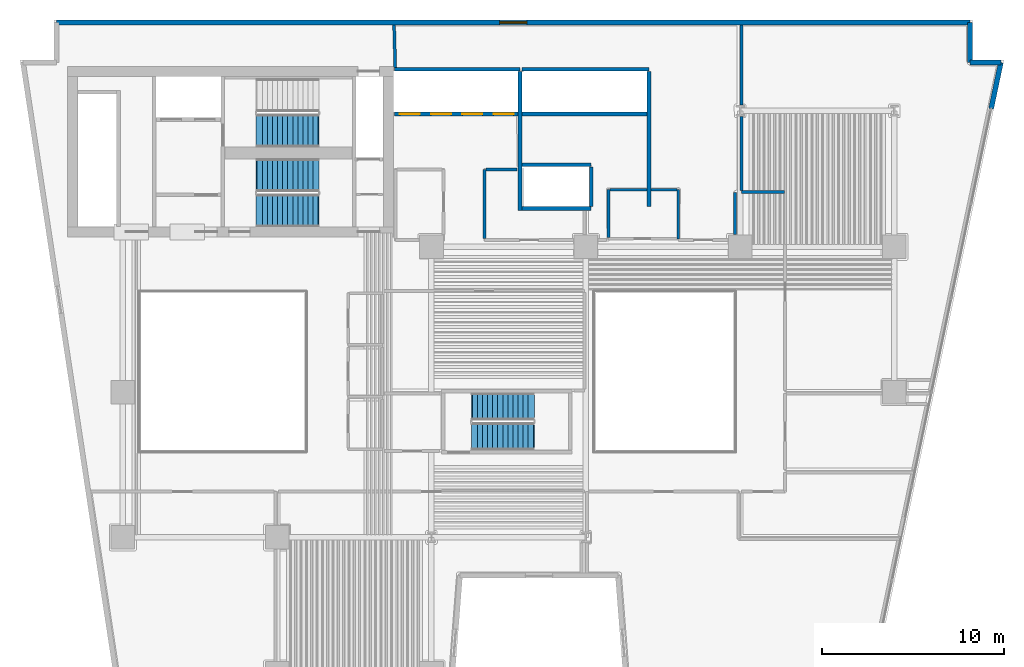
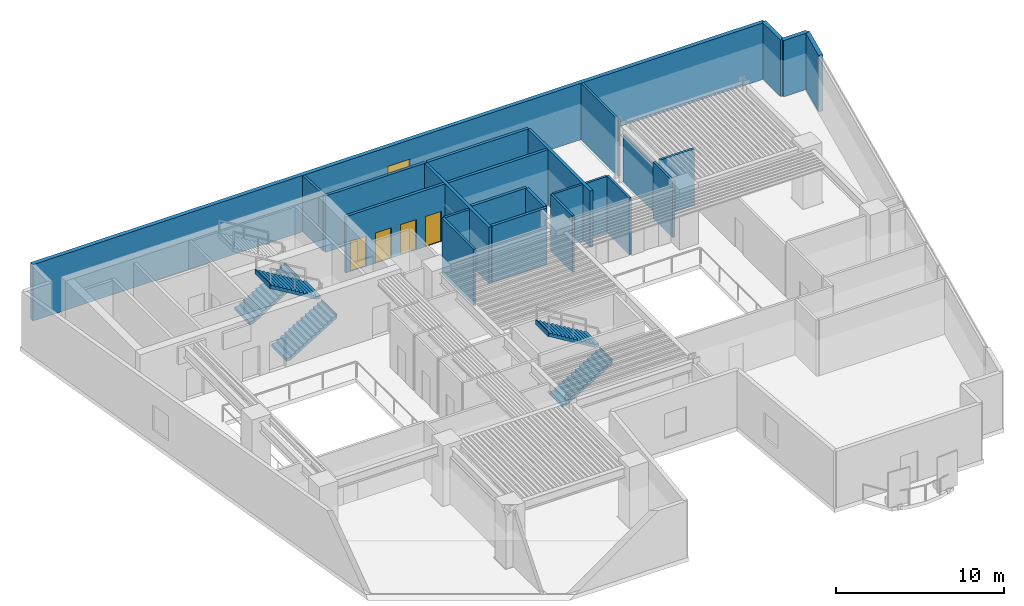
# One storey, part 6 of 12: 24 walls, 5 stair flights, 4 doors, 1 window, 5 openings, 3 elements without a shape of their own.
"""IFC4 building model written with IfcOpenShell, lengths in metres."""

from ifc_helpers import new_model, si_unit, direction, frame, frame_2d, origin, place, context, subcontext, project, spatial, polyline, rectangle, outline, extrude, material, layer, layer_set, type_object, element, fill, aggregate, save


model = new_model("IFC4")

# Units and contexts
model_context = context("Model", 3, precision=1e-05, world=origin(), true_north=direction((0.0, 1.0)))
body_context = subcontext(model_context, "Body", "Model", "MODEL_VIEW")
ifc_project = project(units=[si_unit("LENGTHUNIT", "METRE"), si_unit("AREAUNIT", "SQUARE_METRE"), si_unit("VOLUMEUNIT", "CUBIC_METRE"), si_unit("PLANEANGLEUNIT", "RADIAN"), si_unit("MASSUNIT", "GRAM", prefix="KILO")], contexts=[model_context])

# Site, building, storey
site_placement = place(None, origin())
site = spatial("IfcSite", under=ifc_project, at=site_placement, CompositionType="ELEMENT")
building_placement = place(site_placement, origin())
building = spatial("IfcBuilding", under=site, at=building_placement, Name="Caeloran Harvest Quay", CompositionType="ELEMENT")
storey_placement = place(building_placement, frame((0.0, 0.0, 35.800048828125)))
storey = spatial("IfcBuildingStorey", under=building, at=storey_placement, Name="L08", CompositionType="ELEMENT", Elevation=35.800048828125)

# Wall, opening, window
ifc_material_1 = material(Name="Precast concrete C50/60", Category="concrete")
ifc_layer_1 = layer(ifc_material_1, 0.280029296875, Name="Precast concrete C50/60")
ifc_layer_set_1 = layer_set([ifc_layer_1], Name="Precast concrete C50/60")
wall_type_1 = type_object("IfcWallType", Name="ENV-WALL-EW-280", PredefinedType="STANDARD", material=ifc_layer_set_1)
wall_1_placement = place(storey_placement, frame((4.840087890625, 43.360107421875, 0.0), z_axis=(0.0, 0.0, 1.0), x_axis=(1.0, 0.0, 0.0)))
wall_1 = element("IfcWall", 1, at=wall_1_placement, inside=storey, type_object=wall_type_1, Name="L08 Exterior Precast Concrete Facade Wall 6", PredefinedType="STANDARD", context=body_context, shape_type="SweptSolid", body=[
    extrude(rectangle(XDim=50.31982421875, YDim=0.280029296875, at=frame_2d((25.159912109375, 0.0))), origin(), (0.0, 0.0, 1.0), 4.099853515625),
])
opening_1_placement = place(wall_1_placement, frame((24.409912109375, 0.0, 0.89990234375)))
opening_1 = element("IfcOpeningElement", 2, at=opening_1_placement, cuts=wall_1, Name="Opening W-03", PredefinedType="OPENING", context=body_context, shape_type="SweptSolid", body=[
    extrude(rectangle(XDim=1.5, YDim=1.800048828125, at=frame_2d((0.75, 0.89990234375))), frame((0.0, 0.14990234375, 0.0), z_axis=(0.0, -1.0, 0.0), x_axis=(1.0, 0.0, 0.0)), (0.0, 0.0, 1.0), 0.300048828125),
])
ifc_material_2 = material(Name="Aluminium-Framed Low-E Laminated Glass", Category="aluminium")
window_type = type_object("IfcWindowType", Name="WIN-W-03", PartitioningType="SINGLE_PANEL", PredefinedType="WINDOW", material=ifc_material_2)
window_placement = place(opening_1_placement, origin())
window = element("IfcWindow", 3, at=window_placement, inside=storey, type_object=window_type, Name="L08 Facade Punched Window W-03", OverallHeight=1.800048828125, OverallWidth=1.5, PartitioningType="SINGLE_PANEL", PredefinedType="WINDOW", context=body_context, shape_type="SweptSolid", body=[
    extrude(rectangle(XDim=1.5, YDim=1.800048828125, at=frame_2d((0.75, 0.89990234375))), frame((0.0, 0.030029296875, 0.0), z_axis=(0.0, -1.0, 0.0), x_axis=(1.0, 0.0, 0.0)), (0.0, 0.0, 1.0), 0.06005859375),
])
fill(opening_1, window)

# Walls
wall_2_placement = place(storey_placement, frame((55.159912109375, 43.360107421875, 0.0), z_axis=(0.0, 0.0, 1.0), x_axis=(0.0, -1.0, 0.0)))
element("IfcWall", 4, at=wall_2_placement, inside=storey, type_object=wall_type_1, Name="L08 Exterior Precast Concrete Facade Wall 7", PredefinedType="STANDARD", context=body_context, shape_type="SweptSolid", body=[
    extrude(rectangle(XDim=2.2001953125, YDim=0.280029296875, at=frame_2d((1.10009765625, 0.0))), origin(), (0.0, 0.0, 1.0), 4.099853515625),
])
wall_3_placement = place(storey_placement, frame((55.159912109375, 41.159912109375, 0.0), z_axis=(0.0, 0.0, 1.0), x_axis=(1.0, 0.0, 0.0)))
element("IfcWall", 5, at=wall_3_placement, inside=storey, type_object=wall_type_1, Name="L08 Exterior Precast Concrete Facade Wall 8", PredefinedType="STANDARD", context=body_context, shape_type="SweptSolid", body=[
    extrude(rectangle(XDim=1.705322265625, YDim=0.280029296875, at=frame_2d((0.8525390625, 0.0))), origin(), (0.0, 0.0, 1.0), 4.099853515625),
])
wall_4_placement = place(storey_placement, frame((56.865234375, 41.159912109375, 0.0), z_axis=(0.0, 0.0, 1.0), x_axis=(-0.205551409765, -0.978646319128, 0.0)))
element("IfcWall", 6, at=wall_4_placement, inside=storey, type_object=wall_type_1, Name="L08 Exterior Facade Corner Pier Wall 9A", PredefinedType="STANDARD", context=body_context, shape_type="SweptSolid", body=[
    extrude(rectangle(XDim=2.599853515625, YDim=0.280029296875, at=frame_2d((1.2998046875, 0.0))), origin(), (0.0, 0.0, 1.0), 4.099853515625),
])
ifc_material_3 = material(Name="Autoclaved Aerated Concrete Blockwork and Plasterboard", Category="masonry")
ifc_layer_2 = layer(ifc_material_3, 0.14990234375, Name="Autoclaved Aerated Concrete Blockwork and Plasterboard")
ifc_layer_set_2 = layer_set([ifc_layer_2], Name="Autoclaved Aerated Concrete Blockwork and Plasterboard")
wall_type_2 = type_object("IfcWallType", Name="INT-WALL-PW-150", PredefinedType="PARTITIONING", material=ifc_layer_set_2)
wall_5_placement = place(storey_placement, frame((39.10009765625, 34.14990234375, 0.0), z_axis=(0.0, 0.0, 1.0), x_axis=(0.0, -1.0, 0.0)))
element("IfcWall", 7, at=wall_5_placement, inside=storey, type_object=wall_type_2, Name="L08 Core Auxiliary Equipment Room Partition Wall", PredefinedType="PARTITIONING", context=body_context, shape_type="SweptSolid", body=[
    extrude(rectangle(XDim=2.699951171875, YDim=0.14990234375, at=frame_2d((1.35009765625, 0.0))), origin(), (0.0, 0.0, 1.0), 4.099853515625),
])
wall_6_placement = place(storey_placement, frame((35.25, 31.530029296875, 0.0), z_axis=(0.0, 0.0, 1.0), x_axis=(0.0, 1.0, 0.0)))
element("IfcWall", 8, at=wall_6_placement, inside=storey, type_object=wall_type_2, Name="L08 Core Auxiliary Equipment Room Partition Wall", PredefinedType="PARTITIONING", context=body_context, shape_type="SweptSolid", body=[
    extrude(rectangle(XDim=2.619873046875, YDim=0.14990234375, at=frame_2d((1.31005859375, 0.0))), origin(), (0.0, 0.0, 1.0), 4.099853515625),
])
wall_7_placement = place(storey_placement, frame((37.5849609375, 34.14990234375, 0.0), z_axis=(0.0, 0.0, 1.0), x_axis=(1.0, 0.0, 0.0)))
element("IfcWall", 9, at=wall_7_placement, inside=storey, type_object=wall_type_2, Name="L08 Core Auxiliary Equipment Room Partition Wall", PredefinedType="PARTITIONING", context=body_context, shape_type="SweptSolid", body=[
    extrude(rectangle(XDim=1.43505859375, YDim=0.14990234375, at=frame_2d((0.717529296875, 0.0))), origin(), (0.0, 0.0, 1.0), 4.099853515625),
])
wall_8_placement = place(storey_placement, frame((35.330078125, 34.14990234375, 0.0), z_axis=(0.0, 0.0, 1.0), x_axis=(1.0, 0.0, 0.0)))
element("IfcWall", 10, at=wall_8_placement, inside=storey, type_object=wall_type_2, Name="L08 Core Auxiliary Equipment Room Partition Wall", PredefinedType="PARTITIONING", context=body_context, shape_type="SweptSolid", body=[
    extrude(rectangle(XDim=2.044921875, YDim=0.14990234375, at=frame_2d((1.0224609375, 0.0))), origin(), (0.0, 0.0, 1.0), 4.099853515625),
])
ifc_material_4 = material(Name="Autoclaved Aerated Concrete Blockwork", Category="masonry")
ifc_layer_3 = layer(ifc_material_4, 0.1650390625, Name="Autoclaved Aerated Concrete Blockwork")
ifc_layer_set_3 = layer_set([ifc_layer_3], Name="Autoclaved Aerated Concrete Blockwork")
wall_type_3 = type_object("IfcWallType", Name="INT-WALL-PW-165", PredefinedType="PARTITIONING", material=ifc_layer_set_3)
wall_9_placement = place(storey_placement, frame((28.429931640625, 31.467529296875, 0.0), z_axis=(0.0, 0.0, 1.0), x_axis=(0.0, 1.0, 0.0)))
element("IfcWall", 11, at=wall_9_placement, inside=storey, type_object=wall_type_3, Name="Equipment Sterilisation Room Partition Wall", PredefinedType="PARTITIONING", context=body_context, shape_type="SweptSolid", body=[
    extrude(rectangle(XDim=3.802490234375, YDim=0.1650390625, at=frame_2d((1.9013671875, 0.0))), origin(), (0.0, 0.0, 1.0), 4.099853515625),
])
wall_10_placement = place(storey_placement, frame((28.517578125, 35.27001953125, 0.0), z_axis=(0.0, 0.0, 1.0), x_axis=(1.0, 0.0, 0.0)))
element("IfcWall", 12, at=wall_10_placement, inside=storey, type_object=wall_type_3, Name="Equipment Sterilisation Room Partition Wall", PredefinedType="PARTITIONING", context=body_context, shape_type="SweptSolid", body=[
    extrude(rectangle(XDim=1.702392578125, YDim=0.1650390625, at=frame_2d((0.85107421875, 0.0))), origin(), (0.0, 0.0, 1.0), 4.099853515625),
])
wall_11_placement = place(storey_placement, frame((44.949951171875, 34.030029296875, 0.0), z_axis=(0.0, 0.0, 1.0), x_axis=(-1.0, 0.0, 0.0)))
element("IfcWall", 13, at=wall_11_placement, inside=storey, type_object=wall_type_3, Name="Aeroponic Root-Mist Growing Chamber 10 Partition Wall", PredefinedType="PARTITIONING", context=body_context, shape_type="SweptSolid", body=[
    extrude(rectangle(XDim=2.369873046875, YDim=0.1650390625, at=frame_2d((1.18505859375, 0.0))), origin(), (0.0, 0.0, 1.0), 4.099853515625),
])
wall_12_placement = place(storey_placement, frame((42.580078125, 34.117431640625, 0.0), z_axis=(0.0, 0.0, 1.0), x_axis=(0.0, 1.0, 0.0)))
element("IfcWall", 14, at=wall_12_placement, inside=storey, type_object=wall_type_3, Name="Aeroponic Root-Mist Growing Chamber 10 Partition Wall", PredefinedType="PARTITIONING", context=body_context, shape_type="SweptSolid", body=[
    extrude(rectangle(XDim=4.072998046875, YDim=0.1650390625, at=frame_2d((2.03662109375, 0.0))), origin(), (0.0, 0.0, 1.0), 3.385009765625),
])
wall_13_placement = place(storey_placement, frame((42.580078125, 38.8095703125, 0.0), z_axis=(0.0, 0.0, 1.0), x_axis=(0.0, 1.0, 0.0)))
element("IfcWall", 15, at=wall_13_placement, inside=storey, type_object=wall_type_3, Name="Aeroponic Root-Mist Growing Chamber 10 Partition Wall", PredefinedType="PARTITIONING", context=body_context, shape_type="SweptSolid", body=[
    extrude(rectangle(XDim=4.405517578125, YDim=0.1650390625, at=frame_2d((2.20263671875, 0.0))), origin(), (0.0, 0.0, 1.0), 4.099853515625),
])
wall_14_placement = place(storey_placement, frame((23.505615234375, 40.885009765625, 0.0), z_axis=(0.0, 0.0, 1.0), x_axis=(-0.027441464163, 0.999623412113, 0.0)))
element("IfcWall", 16, at=wall_14_placement, inside=storey, type_object=wall_type_3, Name="Seedling Nursery Room 11 Partition Wall", PredefinedType="PARTITIONING", context=body_context, shape_type="SweptSolid", body=[
    extrude(rectangle(XDim=2.3310546875, YDim=0.1650390625, at=frame_2d((1.16552734375, 0.0))), origin(), (0.0, 0.0, 1.0), 4.099853515625),
])
wall_15_placement = place(storey_placement, frame((42.219970703125, 34.0029296875, 0.0), z_axis=(0.0, 0.0, 1.0), x_axis=(0.0, -1.0, 0.0)))
element("IfcWall", 17, at=wall_15_placement, inside=storey, type_object=wall_type_3, Name="Seedling Nursery Room 11 Partition Wall", PredefinedType="PARTITIONING", context=body_context, shape_type="SweptSolid", body=[
    extrude(rectangle(XDim=2.327880859375, YDim=0.1650390625, at=frame_2d((1.1640625, 0.0))), origin(), (0.0, 0.0, 1.0), 4.099853515625),
])
ifc_material_5 = material(Name="Concrete C50/60", Category="concrete")
ifc_layer_4 = layer(ifc_material_5, 0.199951171875, Name="Concrete C50/60")
ifc_layer_set_4 = layer_set([ifc_layer_4], Name="Concrete C50/60")
wall_type_4 = type_object("IfcWallType", Name="INT-WALL-SW-200", PredefinedType="PARTITIONING", material=ifc_layer_set_4)
wall_16_placement = place(storey_placement, frame((23.469970703125, 40.780029296875, 0.0), z_axis=(0.0, 0.0, 1.0), x_axis=(1.0, 0.0, 0.0)))
element("IfcWall", 18, at=wall_16_placement, inside=storey, type_object=wall_type_4, Name="L08 Bank 1 Lift Shaft North Wall", PredefinedType="PARTITIONING", context=body_context, shape_type="SweptSolid", body=[
    extrude(rectangle(XDim=6.909912109375, YDim=0.199951171875, at=frame_2d((3.455078125, 0.0))), origin(), (0.0, 0.0, 1.0), 4.099853515625),
])
wall_17_placement = place(storey_placement, frame((30.3798828125, 33.02001953125, 0.0), z_axis=(0.0, 0.0, 1.0), x_axis=(0.0, 1.0, 0.0)))
element("IfcWall", 19, at=wall_17_placement, inside=storey, type_object=wall_type_4, Name="L08 Bank 1 Lift Shaft East Wall", PredefinedType="PARTITIONING", context=body_context, shape_type="SweptSolid", body=[
    extrude(rectangle(XDim=7.639892578125, YDim=0.199951171875, at=frame_2d((3.81982421875, 0.0))), origin(), (0.0, 0.0, 1.0), 4.099853515625),
])

# Wall, openings, doors
wall_18_placement = place(storey_placement, frame((23.469970703125, 38.320068359375, 0.0), z_axis=(0.0, 0.0, 1.0), x_axis=(1.0, 0.0, 0.0)))
wall_18 = element("IfcWall", 20, at=wall_18_placement, inside=storey, type_object=wall_type_4, Name="L08 Bank 1 Lift Landing Front Wall", PredefinedType="PARTITIONING", context=body_context, shape_type="SweptSolid", body=[
    extrude(rectangle(XDim=6.7900390625, YDim=0.199951171875, at=frame_2d((3.39501953125, 0.0))), origin(), (0.0, 0.0, 1.0), 4.099853515625),
])
opening_2_placement = place(wall_18_placement, frame((0.2900390625, 0.0, 0.0)))
opening_2 = element("IfcOpeningElement", 21, at=opening_2_placement, cuts=wall_18, Name="Opening LD-01", PredefinedType="OPENING", context=body_context, shape_type="SweptSolid", body=[
    extrude(rectangle(XDim=1.10009765625, YDim=2.199951171875, at=frame_2d((0.550048828125, 1.10009765625))), frame((0.0, 0.10986328125, 0.0), z_axis=(0.0, -1.0, 0.0), x_axis=(1.0, 0.0, 0.0)), (0.0, 0.0, 1.0), 0.219970703125),
])
opening_3_placement = place(wall_18_placement, frame((2.010009765625, 0.0, 0.0)))
opening_3 = element("IfcOpeningElement", 22, at=opening_3_placement, cuts=wall_18, Name="Opening LD-01", PredefinedType="OPENING", context=body_context, shape_type="SweptSolid", body=[
    extrude(rectangle(XDim=1.10009765625, YDim=2.199951171875, at=frame_2d((0.550048828125, 1.10009765625))), frame((0.0, 0.10986328125, 0.0), z_axis=(0.0, -1.0, 0.0), x_axis=(1.0, 0.0, 0.0)), (0.0, 0.0, 1.0), 0.219970703125),
])
opening_4_placement = place(wall_18_placement, frame((3.72998046875, 0.0, 0.0)))
opening_4 = element("IfcOpeningElement", 23, at=opening_4_placement, cuts=wall_18, Name="Opening LD-01", PredefinedType="OPENING", context=body_context, shape_type="SweptSolid", body=[
    extrude(rectangle(XDim=1.10009765625, YDim=2.199951171875, at=frame_2d((0.550048828125, 1.10009765625))), frame((0.0, 0.10986328125, 0.0), z_axis=(0.0, -1.0, 0.0), x_axis=(1.0, 0.0, 0.0)), (0.0, 0.0, 1.0), 0.219970703125),
])
opening_5_placement = place(wall_18_placement, frame((5.449951171875, 0.0, 0.0)))
opening_5 = element("IfcOpeningElement", 24, at=opening_5_placement, cuts=wall_18, Name="Opening LD-01", PredefinedType="OPENING", context=body_context, shape_type="SweptSolid", body=[
    extrude(rectangle(XDim=1.10009765625, YDim=2.199951171875, at=frame_2d((0.550048828125, 1.10009765625))), frame((0.0, 0.10986328125, 0.0), z_axis=(0.0, -1.0, 0.0), x_axis=(1.0, 0.0, 0.0)), (0.0, 0.0, 1.0), 0.219970703125),
])
ifc_material_6 = material(Name="Stainless Steel Grade 316", Category="steel")
door_type = type_object("IfcDoorType", Name="INTDOOR-LD-01", OperationType="NOTDEFINED", PredefinedType="DOOR", material=ifc_material_6)
door_1_placement = place(opening_2_placement, origin())
door_1 = element("IfcDoor", 25, at=door_1_placement, inside=storey, type_object=door_type, Name="Lift P1-1 Sliding Landing Door (L08)", OperationType="DOUBLE_DOOR_SLIDING", OverallHeight=2.199951171875, OverallWidth=1.10009765625, PredefinedType="DOOR", context=body_context, shape_type="SweptSolid", body=[
    extrude(rectangle(XDim=1.10009765625, YDim=2.199951171875, at=frame_2d((0.550048828125, 1.10009765625))), frame((0.0, 0.02490234375, 0.0), z_axis=(0.0, -1.0, 0.0), x_axis=(1.0, 0.0, 0.0)), (0.0, 0.0, 1.0), 0.050048828125),
])
fill(opening_2, door_1)
door_2_placement = place(opening_3_placement, origin())
door_2 = element("IfcDoor", 26, at=door_2_placement, inside=storey, type_object=door_type, Name="Lift P1-2 Sliding Landing Door (L08)", OperationType="DOUBLE_DOOR_SLIDING", OverallHeight=2.199951171875, OverallWidth=1.10009765625, PredefinedType="DOOR", context=body_context, shape_type="SweptSolid", body=[
    extrude(rectangle(XDim=1.10009765625, YDim=2.199951171875, at=frame_2d((0.550048828125, 1.10009765625))), frame((0.0, 0.02490234375, 0.0), z_axis=(0.0, -1.0, 0.0), x_axis=(1.0, 0.0, 0.0)), (0.0, 0.0, 1.0), 0.050048828125),
])
fill(opening_3, door_2)
door_3_placement = place(opening_4_placement, origin())
door_3 = element("IfcDoor", 27, at=door_3_placement, inside=storey, type_object=door_type, Name="Lift P1-3 Sliding Landing Door (L08)", OperationType="DOUBLE_DOOR_SLIDING", OverallHeight=2.199951171875, OverallWidth=1.10009765625, PredefinedType="DOOR", context=body_context, shape_type="SweptSolid", body=[
    extrude(rectangle(XDim=1.10009765625, YDim=2.199951171875, at=frame_2d((0.550048828125, 1.10009765625))), frame((0.0, 0.02490234375, 0.0), z_axis=(0.0, -1.0, 0.0), x_axis=(1.0, 0.0, 0.0)), (0.0, 0.0, 1.0), 0.050048828125),
])
fill(opening_4, door_3)
door_4_placement = place(opening_5_placement, origin())
door_4 = element("IfcDoor", 28, at=door_4_placement, inside=storey, type_object=door_type, Name="Lift P1-4 Sliding Landing Door (L08)", OperationType="DOUBLE_DOOR_SLIDING", OverallHeight=2.199951171875, OverallWidth=1.10009765625, PredefinedType="DOOR", context=body_context, shape_type="SweptSolid", body=[
    extrude(rectangle(XDim=1.10009765625, YDim=2.199951171875, at=frame_2d((0.550048828125, 1.10009765625))), frame((0.0, 0.02490234375, 0.0), z_axis=(0.0, -1.0, 0.0), x_axis=(1.0, 0.0, 0.0)), (0.0, 0.0, 1.0), 0.050048828125),
])
fill(opening_5, door_4)

# Walls
wall_19_placement = place(storey_placement, frame((30.5, 40.780029296875, 0.0), z_axis=(0.0, 0.0, 1.0), x_axis=(1.0, 0.0, 0.0)))
element("IfcWall", 29, at=wall_19_placement, inside=storey, type_object=wall_type_4, Name="L08 Bank 2 Lift Shaft North Wall", PredefinedType="PARTITIONING", context=body_context, shape_type="SweptSolid", body=[
    extrude(rectangle(XDim=6.97998046875, YDim=0.199951171875, at=frame_2d((3.489990234375, 0.0))), origin(), (0.0, 0.0, 1.0), 4.099853515625),
])
wall_20_placement = place(storey_placement, frame((37.47998046875, 33.239990234375, 0.0), z_axis=(0.0, 0.0, 1.0), x_axis=(0.0, 1.0, 0.0)))
element("IfcWall", 30, at=wall_20_placement, inside=storey, type_object=wall_type_4, Name="L08 Bank 2 Lift Shaft East Wall", PredefinedType="PARTITIONING", context=body_context, shape_type="SweptSolid", body=[
    extrude(rectangle(XDim=7.419921875, YDim=0.199951171875, at=frame_2d((3.7099609375, 0.0))), origin(), (0.0, 0.0, 1.0), 4.099853515625),
])
wall_21_placement = place(storey_placement, frame((30.5, 38.320068359375, 0.0), z_axis=(0.0, 0.0, 1.0), x_axis=(1.0, 0.0, 0.0)))
element("IfcWall", 31, at=wall_21_placement, inside=storey, type_object=wall_type_4, Name="L08 Bank 2 Lift Landing Front Wall", PredefinedType="PARTITIONING", context=body_context, shape_type="SweptSolid", body=[
    extrude(rectangle(XDim=6.860107421875, YDim=0.199951171875, at=frame_2d((3.43017578125, 0.0))), origin(), (0.0, 0.0, 1.0), 4.099853515625),
])
for number, where, z_axis, x_axis, name in (
    (32, (30.5, 35.530029296875, 0.0), (0.0, 0.0, 1.0), (1.0, 0.0, 0.0), "L08 Shuttle Lift Landing Front Wall"),
    (33, (30.5, 33.1201171875, 0.0), (0.0, 0.0, 1.0), (1.0, 0.0, 0.0), "L08 Shuttle Lift Shaft South Wall"),
):
    element("IfcWall", number, at=place(storey_placement, frame(where, z_axis=z_axis, x_axis=x_axis)), inside=storey, type_object=wall_type_4, Name=name, PredefinedType="PARTITIONING", context=body_context, shape_type="SweptSolid", body=[
        extrude(rectangle(XDim=3.800048828125, YDim=0.199951171875, at=frame_2d((1.89990234375, 0.0))), origin(), (0.0, 0.0, 1.0), 4.099853515625),
    ])
wall_22_placement = place(storey_placement, frame((34.300048828125, 33.239990234375, 0.0), z_axis=(0.0, 0.0, 1.0), x_axis=(0.0, 1.0, 0.0)))
element("IfcWall", 34, at=wall_22_placement, inside=storey, type_object=wall_type_4, Name="L08 Shuttle Lift Shaft East Wall", PredefinedType="PARTITIONING", context=body_context, shape_type="SweptSolid", body=[
    extrude(rectangle(XDim=2.169921875, YDim=0.199951171875, at=frame_2d((1.0849609375, 0.0))), origin(), (0.0, 0.0, 1.0), 4.099853515625),
])

# Stair, stair flight
stair_type_1 = type_object("IfcStairType", Name="STAIR-STC-180", PredefinedType="HALF_TURN_STAIR", material=ifc_material_5)
stair_1_placement = place(storey_placement, origin())
stair_1 = element("IfcStair", 35, at=stair_1_placement, inside=storey, type_object=stair_type_1, Name="L08 Core Pressurized Exit Stair ST-C1", PredefinedType="HALF_TURN_STAIR")
stair_flight_type_1 = type_object("IfcStairFlightType", Name="FLIGHT-STC-180", PredefinedType="STRAIGHT", material=ifc_material_5)
stair_flight_1_placement = place(storey_placement, frame((15.89990234375, 37.39990234375, 0.0), z_axis=(0.0, 0.0, 1.0), x_axis=(1.0, 0.0, 0.0)))
stair_flight_1 = element("IfcStairFlight", 36, at=stair_flight_1_placement, type_object=stair_flight_type_1, Name="ST-C1 flight 1", NumberOfRisers=13, NumberOfTreads=12, PredefinedType="STRAIGHT", RiserHeight=0.169230769, TreadLength=0.28, context=body_context, shape_type="SweptSolid", body=[
    extrude(outline(polyline([(-0.054931640625, -0.044921875), (-0.054931640625, -0.031494140625), (-0.054931640625, -0.018310546875), (-0.054931640625, -0.0048828125), (-0.054931640625, 0.008544921875), (-0.054931640625, 0.02197265625), (-0.054931640625, 0.035400390625), (-0.054931640625, 0.048828125), (-0.054931640625, 0.06201171875), (-0.054931640625, 0.075439453125), (-0.054931640625, 0.0888671875), (-0.054931640625, 0.102294921875), (-0.054931640625, 0.11572265625), (-0.054931640625, 0.129150390625), (-0.054931640625, 0.142333984375), (-0.054931640625, 0.15576171875), (-0.054931640625, 0.169189453125), (0.280029296875, 0.169189453125), (0.280029296875, 0.33837890625), (0.56005859375, 0.33837890625), (0.56005859375, 0.5078125), (0.840087890625, 0.5078125), (0.840087890625, 0.677001953125), (1.1201171875, 0.677001953125), (1.1201171875, 0.84619140625), (1.39990234375, 0.84619140625), (1.39990234375, 1.015380859375), (1.679931640625, 1.015380859375), (1.679931640625, 1.1845703125), (1.9599609375, 1.1845703125), (1.9599609375, 1.353759765625), (2.239990234375, 1.353759765625), (2.239990234375, 1.523193359375), (2.52001953125, 1.523193359375), (2.52001953125, 1.6923828125), (2.800048828125, 1.6923828125), (2.800048828125, 1.861572265625), (3.080078125, 1.861572265625), (3.080078125, 2.03076171875), (3.360107421875, 2.03076171875), (3.360107421875, 2.199951171875), (3.4150390625, 2.199951171875), (3.4150390625, 2.178466796875), (3.4150390625, 2.156982421875), (3.4150390625, 2.135498046875), (3.4150390625, 2.114013671875), (3.4150390625, 2.09228515625), (3.4150390625, 2.07080078125), (3.4150390625, 2.04931640625), (3.4150390625, 2.02783203125), (3.4150390625, 2.00634765625), (3.4150390625, 1.98486328125), (3.4150390625, 1.963134765625), (3.4150390625, 1.941650390625), (3.4150390625, 1.920166015625), (3.4150390625, 1.898681640625), (3.4150390625, 1.877197265625), (3.4150390625, 1.855712890625), (3.360107421875, 1.855712890625), (0.21533203125, -0.044921875), (-0.054931640625, -0.044921875)])), frame((0.0, 0.89990234375, 0.0), z_axis=(0.0, -1.0, 0.0), x_axis=(1.0, 0.0, 0.0)), (0.0, 0.0, 1.0), 1.800048828125),
])
aggregate(stair_1, [stair_flight_1])

# Stair, stair flights
stair_2_placement = place(storey_placement, origin())
stair_2 = element("IfcStair", 37, at=stair_2_placement, inside=storey, type_object=stair_type_1, Name="L08 Core Pressurized Exit Stair ST-C2", PredefinedType="HALF_TURN_STAIR")
stair_flight_2_placement = place(storey_placement, frame((15.89990234375, 33.0, 0.0), z_axis=(0.0, 0.0, 1.0), x_axis=(1.0, 0.0, 0.0)))
stair_flight_2 = element("IfcStairFlight", 38, at=stair_flight_2_placement, type_object=stair_flight_type_1, Name="ST-C2 flight 1", NumberOfRisers=13, NumberOfTreads=12, PredefinedType="STRAIGHT", RiserHeight=0.169230769, TreadLength=0.28, context=body_context, shape_type="SweptSolid", body=[
    extrude(outline(polyline([(-0.054931640625, -0.044921875), (-0.054931640625, -0.031494140625), (-0.054931640625, -0.018310546875), (-0.054931640625, -0.0048828125), (-0.054931640625, 0.008544921875), (-0.054931640625, 0.02197265625), (-0.054931640625, 0.035400390625), (-0.054931640625, 0.048828125), (-0.054931640625, 0.06201171875), (-0.054931640625, 0.075439453125), (-0.054931640625, 0.0888671875), (-0.054931640625, 0.102294921875), (-0.054931640625, 0.11572265625), (-0.054931640625, 0.129150390625), (-0.054931640625, 0.142333984375), (-0.054931640625, 0.15576171875), (-0.054931640625, 0.169189453125), (0.280029296875, 0.169189453125), (0.280029296875, 0.33837890625), (0.56005859375, 0.33837890625), (0.56005859375, 0.5078125), (0.840087890625, 0.5078125), (0.840087890625, 0.677001953125), (1.1201171875, 0.677001953125), (1.1201171875, 0.84619140625), (1.39990234375, 0.84619140625), (1.39990234375, 1.015380859375), (1.679931640625, 1.015380859375), (1.679931640625, 1.1845703125), (1.9599609375, 1.1845703125), (1.9599609375, 1.353759765625), (2.239990234375, 1.353759765625), (2.239990234375, 1.523193359375), (2.52001953125, 1.523193359375), (2.52001953125, 1.6923828125), (2.800048828125, 1.6923828125), (2.800048828125, 1.861572265625), (3.080078125, 1.861572265625), (3.080078125, 2.03076171875), (3.360107421875, 2.03076171875), (3.360107421875, 2.199951171875), (3.4150390625, 2.199951171875), (3.4150390625, 2.178466796875), (3.4150390625, 2.156982421875), (3.4150390625, 2.135498046875), (3.4150390625, 2.114013671875), (3.4150390625, 2.09228515625), (3.4150390625, 2.07080078125), (3.4150390625, 2.04931640625), (3.4150390625, 2.02783203125), (3.4150390625, 2.00634765625), (3.4150390625, 1.98486328125), (3.4150390625, 1.963134765625), (3.4150390625, 1.941650390625), (3.4150390625, 1.920166015625), (3.4150390625, 1.898681640625), (3.4150390625, 1.877197265625), (3.4150390625, 1.855712890625), (3.360107421875, 1.855712890625), (0.21533203125, -0.044921875), (-0.054931640625, -0.044921875)])), frame((0.0, 0.89990234375, 0.0), z_axis=(0.0, -1.0, 0.0), x_axis=(1.0, 0.0, 0.0)), (0.0, 0.0, 1.0), 1.800048828125),
])
stair_flight_3_placement = place(storey_placement, frame((19.260009765625, 34.949951171875, 2.199951171875), z_axis=(0.0, 0.0, 1.0), x_axis=(-1.0, 0.0, 0.0)))
stair_flight_3 = element("IfcStairFlight", 39, at=stair_flight_3_placement, type_object=stair_flight_type_1, Name="ST-C2 flight 2", NumberOfRisers=13, NumberOfTreads=12, PredefinedType="STRAIGHT", RiserHeight=0.169230769, TreadLength=0.28, context=body_context, shape_type="SweptSolid", body=[
    extrude(outline(polyline([(-0.054931640625, -0.044921875), (-0.054931640625, -0.031494140625), (-0.054931640625, -0.018310546875), (-0.054931640625, -0.0048828125), (-0.054931640625, 0.008544921875), (-0.054931640625, 0.02197265625), (-0.054931640625, 0.035400390625), (-0.054931640625, 0.048828125), (-0.054931640625, 0.06201171875), (-0.054931640625, 0.075439453125), (-0.054931640625, 0.0888671875), (-0.054931640625, 0.102294921875), (-0.054931640625, 0.11572265625), (-0.054931640625, 0.129150390625), (-0.054931640625, 0.142333984375), (-0.054931640625, 0.15576171875), (-0.054931640625, 0.169189453125), (0.280029296875, 0.169189453125), (0.280029296875, 0.33837890625), (0.56005859375, 0.33837890625), (0.56005859375, 0.5078125), (0.840087890625, 0.5078125), (0.840087890625, 0.677001953125), (1.1201171875, 0.677001953125), (1.1201171875, 0.84619140625), (1.39990234375, 0.84619140625), (1.39990234375, 1.015380859375), (1.679931640625, 1.015380859375), (1.679931640625, 1.1845703125), (1.9599609375, 1.1845703125), (1.9599609375, 1.353759765625), (2.239990234375, 1.353759765625), (2.239990234375, 1.523193359375), (2.52001953125, 1.523193359375), (2.52001953125, 1.6923828125), (2.800048828125, 1.6923828125), (2.800048828125, 1.861572265625), (3.080078125, 1.861572265625), (3.080078125, 2.03076171875), (3.360107421875, 2.03076171875), (3.360107421875, 2.199951171875), (3.4150390625, 2.199951171875), (3.4150390625, 2.178466796875), (3.4150390625, 2.156982421875), (3.4150390625, 2.135498046875), (3.4150390625, 2.114013671875), (3.4150390625, 2.09228515625), (3.4150390625, 2.07080078125), (3.4150390625, 2.04931640625), (3.4150390625, 2.02783203125), (3.4150390625, 2.00634765625), (3.4150390625, 1.98486328125), (3.4150390625, 1.963134765625), (3.4150390625, 1.941650390625), (3.4150390625, 1.920166015625), (3.4150390625, 1.898681640625), (3.4150390625, 1.877197265625), (3.4150390625, 1.855712890625), (3.360107421875, 1.855712890625), (0.21533203125, -0.044921875), (-0.054931640625, -0.044921875)])), frame((0.0, 0.89990234375, 0.0), z_axis=(0.0, -1.0, 0.0), x_axis=(1.0, 0.0, 0.0)), (0.0, 0.0, 1.0), 1.800048828125),
])
aggregate(stair_2, [stair_flight_2, stair_flight_3])

stair_type_2 = type_object("IfcStairType", Name="STAIR-STW-150", PredefinedType="HALF_TURN_STAIR", material=ifc_material_5)
stair_3_placement = place(storey_placement, origin())
stair_3 = element("IfcStair", 40, at=stair_3_placement, inside=storey, type_object=stair_type_2, Name="L08 East Wing Protected Exit Stair ST-W1", PredefinedType="HALF_TURN_STAIR")
stair_flight_type_2 = type_object("IfcStairFlightType", Name="FLIGHT-STW-150", PredefinedType="STRAIGHT", material=ifc_material_5)
stair_flight_4_placement = place(storey_placement, frame((27.75, 20.550048828125, 0.0), z_axis=(0.0, 0.0, 1.0), x_axis=(1.0, 0.0, 0.0)))
stair_flight_4 = element("IfcStairFlight", 41, at=stair_flight_4_placement, type_object=stair_flight_type_2, Name="ST-W1 flight 1", NumberOfRisers=13, NumberOfTreads=12, PredefinedType="STRAIGHT", RiserHeight=0.169230769, TreadLength=0.28, context=body_context, shape_type="SweptSolid", body=[
    extrude(outline(polyline([(-0.054931640625, -0.044921875), (-0.054931640625, -0.031494140625), (-0.054931640625, -0.018310546875), (-0.054931640625, -0.0048828125), (-0.054931640625, 0.008544921875), (-0.054931640625, 0.02197265625), (-0.054931640625, 0.035400390625), (-0.054931640625, 0.048828125), (-0.054931640625, 0.06201171875), (-0.054931640625, 0.075439453125), (-0.054931640625, 0.0888671875), (-0.054931640625, 0.102294921875), (-0.054931640625, 0.11572265625), (-0.054931640625, 0.129150390625), (-0.054931640625, 0.142333984375), (-0.054931640625, 0.15576171875), (-0.054931640625, 0.169189453125), (0.280029296875, 0.169189453125), (0.280029296875, 0.33837890625), (0.56005859375, 0.33837890625), (0.56005859375, 0.5078125), (0.840087890625, 0.5078125), (0.840087890625, 0.677001953125), (1.1201171875, 0.677001953125), (1.1201171875, 0.84619140625), (1.39990234375, 0.84619140625), (1.39990234375, 1.015380859375), (1.679931640625, 1.015380859375), (1.679931640625, 1.1845703125), (1.9599609375, 1.1845703125), (1.9599609375, 1.353759765625), (2.239990234375, 1.353759765625), (2.239990234375, 1.523193359375), (2.52001953125, 1.523193359375), (2.52001953125, 1.6923828125), (2.800048828125, 1.6923828125), (2.800048828125, 1.861572265625), (3.080078125, 1.861572265625), (3.080078125, 2.03076171875), (3.360107421875, 2.03076171875), (3.360107421875, 2.199951171875), (3.4150390625, 2.199951171875), (3.4150390625, 2.178466796875), (3.4150390625, 2.156982421875), (3.4150390625, 2.135498046875), (3.4150390625, 2.114013671875), (3.4150390625, 2.09228515625), (3.4150390625, 2.07080078125), (3.4150390625, 2.04931640625), (3.4150390625, 2.02783203125), (3.4150390625, 2.00634765625), (3.4150390625, 1.98486328125), (3.4150390625, 1.963134765625), (3.4150390625, 1.941650390625), (3.4150390625, 1.920166015625), (3.4150390625, 1.898681640625), (3.4150390625, 1.877197265625), (3.4150390625, 1.855712890625), (3.360107421875, 1.855712890625), (0.21533203125, -0.044921875), (-0.054931640625, -0.044921875)])), frame((0.0, 0.75, 0.0), z_axis=(0.0, -1.0, 0.0), x_axis=(1.0, 0.0, 0.0)), (0.0, 0.0, 1.0), 1.5),
])
stair_flight_5_placement = place(storey_placement, frame((31.110107421875, 22.199951171875, 2.199951171875), z_axis=(0.0, 0.0, 1.0), x_axis=(-1.0, 0.0, 0.0)))
stair_flight_5 = element("IfcStairFlight", 42, at=stair_flight_5_placement, type_object=stair_flight_type_2, Name="ST-W1 flight 2", NumberOfRisers=13, NumberOfTreads=12, PredefinedType="STRAIGHT", RiserHeight=0.169230769, TreadLength=0.28, context=body_context, shape_type="SweptSolid", body=[
    extrude(outline(polyline([(-0.054931640625, -0.044921875), (-0.054931640625, -0.031494140625), (-0.054931640625, -0.018310546875), (-0.054931640625, -0.0048828125), (-0.054931640625, 0.008544921875), (-0.054931640625, 0.02197265625), (-0.054931640625, 0.035400390625), (-0.054931640625, 0.048828125), (-0.054931640625, 0.06201171875), (-0.054931640625, 0.075439453125), (-0.054931640625, 0.0888671875), (-0.054931640625, 0.102294921875), (-0.054931640625, 0.11572265625), (-0.054931640625, 0.129150390625), (-0.054931640625, 0.142333984375), (-0.054931640625, 0.15576171875), (-0.054931640625, 0.169189453125), (0.280029296875, 0.169189453125), (0.280029296875, 0.33837890625), (0.56005859375, 0.33837890625), (0.56005859375, 0.5078125), (0.840087890625, 0.5078125), (0.840087890625, 0.677001953125), (1.1201171875, 0.677001953125), (1.1201171875, 0.84619140625), (1.39990234375, 0.84619140625), (1.39990234375, 1.015380859375), (1.679931640625, 1.015380859375), (1.679931640625, 1.1845703125), (1.9599609375, 1.1845703125), (1.9599609375, 1.353759765625), (2.239990234375, 1.353759765625), (2.239990234375, 1.523193359375), (2.52001953125, 1.523193359375), (2.52001953125, 1.6923828125), (2.800048828125, 1.6923828125), (2.800048828125, 1.861572265625), (3.080078125, 1.861572265625), (3.080078125, 2.03076171875), (3.360107421875, 2.03076171875), (3.360107421875, 2.199951171875), (3.4150390625, 2.199951171875), (3.4150390625, 2.178466796875), (3.4150390625, 2.156982421875), (3.4150390625, 2.135498046875), (3.4150390625, 2.114013671875), (3.4150390625, 2.09228515625), (3.4150390625, 2.07080078125), (3.4150390625, 2.04931640625), (3.4150390625, 2.02783203125), (3.4150390625, 2.00634765625), (3.4150390625, 1.98486328125), (3.4150390625, 1.963134765625), (3.4150390625, 1.941650390625), (3.4150390625, 1.920166015625), (3.4150390625, 1.898681640625), (3.4150390625, 1.877197265625), (3.4150390625, 1.855712890625), (3.360107421875, 1.855712890625), (0.21533203125, -0.044921875), (-0.054931640625, -0.044921875)])), frame((0.0, 0.75, 0.0), z_axis=(0.0, -1.0, 0.0), x_axis=(1.0, 0.0, 0.0)), (0.0, 0.0, 1.0), 1.5),
])
aggregate(stair_3, [stair_flight_4, stair_flight_5])

save(model, "model.ifc")
